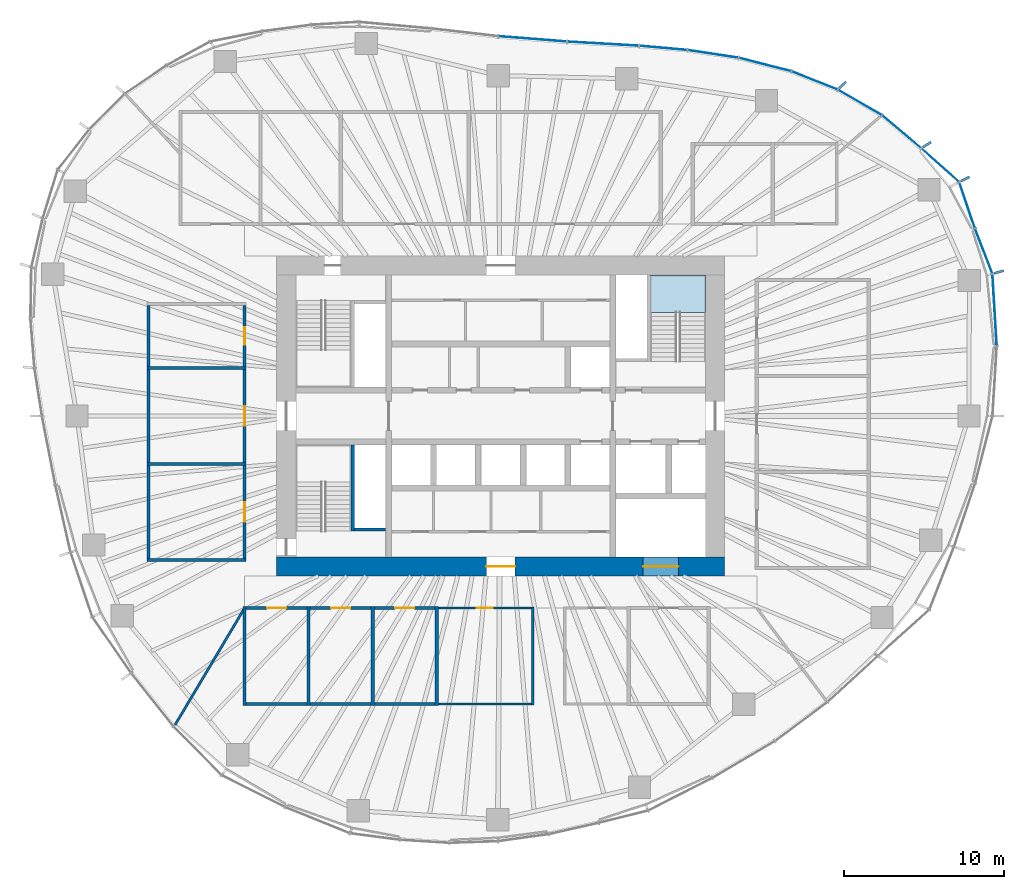
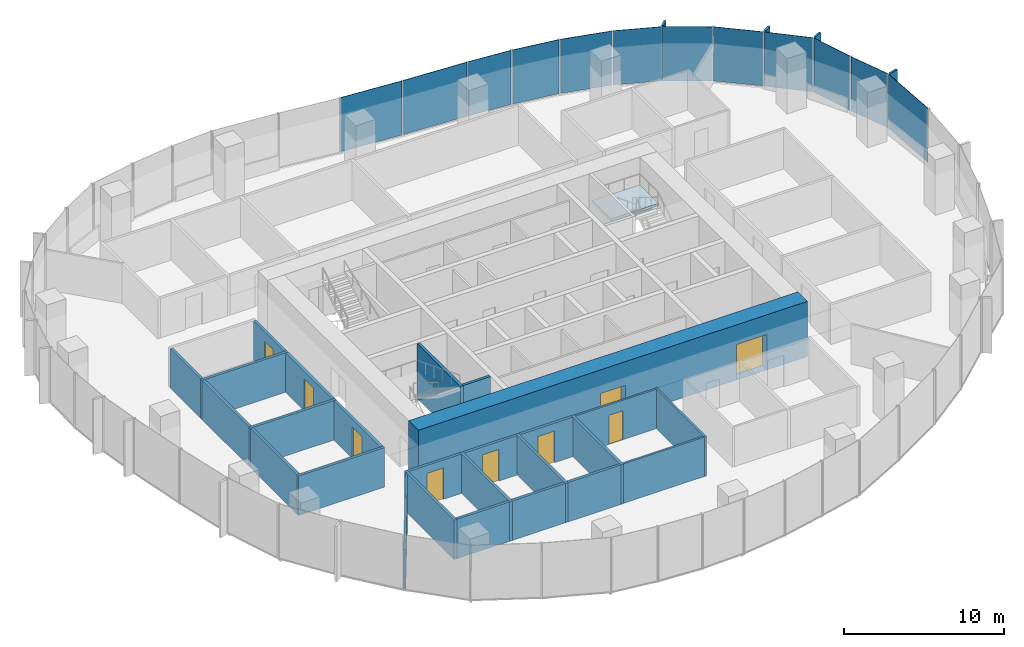
# One storey, part 8 of 18: 26 walls, 16 plates, 9 doors, 1 slab, 9 openings, 6 elements without a shape of their own.
"""IFC4 building model written with IfcOpenShell, lengths in metres."""

from ifc_helpers import new_model, si_unit, direction, frame, frame_2d, origin, origin_2d, place, context, subcontext, project, spatial, polyline, rectangle, outline, extrude, material, layer, layer_set, type_object, element, fill, aggregate, save


model = new_model("IFC4")

# Units and contexts
model_context = context("Model", 3, precision=1e-05, world=origin(), true_north=direction((0.0, 1.0)))
body_context = subcontext(model_context, "Body", "Model", "MODEL_VIEW")
ifc_project = project(units=[si_unit("LENGTHUNIT", "METRE"), si_unit("AREAUNIT", "SQUARE_METRE"), si_unit("VOLUMEUNIT", "CUBIC_METRE"), si_unit("PLANEANGLEUNIT", "RADIAN"), si_unit("MASSUNIT", "GRAM", prefix="KILO")], contexts=[model_context])

# Site, building, storey
site_placement = place(None, origin())
site = spatial("IfcSite", under=ifc_project, at=site_placement, CompositionType="ELEMENT")
building_placement = place(site_placement, origin())
building = spatial("IfcBuilding", under=site, at=building_placement, Name="Ghaith Harvest Tower", CompositionType="ELEMENT")
storey_placement = place(building_placement, frame((0.0, 0.0, 180.60009765625)))
storey = spatial("IfcBuildingStorey", under=building, at=storey_placement, Name="L39", CompositionType="ELEMENT", Elevation=180.60009765625)

# Curtain wall, plate
ifc_material_1 = material(Name="Black anodised aluminium and fritted glass", Category="aluminium")
curtain_wall_type = type_object("IfcCurtainWallType", Name="CW-L CURTAIN WALL", PredefinedType="NOTDEFINED", material=ifc_material_1)
curtain_wall_1_placement = place(storey_placement, origin())
curtain_wall_1 = element("IfcCurtainWall", 1, at=curtain_wall_1_placement, inside=storey, type_object=curtain_wall_type, Name="Curtain wall CW-L bay 01 L39", PredefinedType="NOTDEFINED")
ifc_material_2 = material(Name="Glass, dark solar-control fritted double glazed unit", Category="glass")
ifc_layer_1 = layer(ifc_material_2, 0.031982421875)
ifc_layer_set_1 = layer_set([ifc_layer_1], Name="CW-L VISION PANEL")
plate_type_1 = type_object("IfcPlateType", Name="CW-L VISION PANEL", PredefinedType="CURTAIN_PANEL", material=ifc_layer_set_1)
plate_1_placement = place(storey_placement, frame((30.863037109375, 6.63525390625, 0.079833984375), z_axis=(0.0, 0.0, 1.0), x_axis=(-0.060320650032, 0.998179051663, 0.0)))
plate_1 = element("IfcPlate", 2, at=plate_1_placement, type_object=plate_type_1, Name="CW-L glass unit 2 bay 01 L39", PredefinedType="CURTAIN_PANEL", context=body_context, shape_type="SweptSolid", body=[
    extrude(rectangle(XDim=4.419189453125, YDim=0.031982421875, at=origin_2d()), origin(), (0.0, 0.0, 1.0), 4.1201171875),
])
aggregate(curtain_wall_1, [plate_1])

# Curtain wall, plates
curtain_wall_2_placement = place(storey_placement, origin())
curtain_wall_2 = element("IfcCurtainWall", 3, at=curtain_wall_2_placement, inside=storey, type_object=curtain_wall_type, Name="Curtain wall CW-L bay 02 L39", PredefinedType="NOTDEFINED")
plate_2_placement = place(storey_placement, frame((30.180908203125, 10.29833984375, 0.079833984375), z_axis=(0.0, 0.0, 1.0), x_axis=(-0.359676824997, 0.933076943001, 0.0)))
plate_2 = element("IfcPlate", 4, at=plate_2_placement, type_object=plate_type_1, Name="CW-L glass unit 1 bay 02 L39", PredefinedType="CURTAIN_PANEL", context=body_context, shape_type="SweptSolid", body=[
    extrude(rectangle(XDim=2.95849609375, YDim=0.031982421875, at=origin_2d()), origin(), (0.0, 0.0, 1.0), 4.1201171875),
])
plate_3_placement = place(storey_placement, frame((29.142333984375, 13.163818359375, 0.079833984375), z_axis=(0.0, 0.0, 1.0), x_axis=(-0.321853304376, 0.946789549194, 0.0)))
plate_3 = element("IfcPlate", 5, at=plate_3_placement, type_object=plate_type_1, Name="CW-L glass unit 2 bay 02 L39", PredefinedType="CURTAIN_PANEL", context=body_context, shape_type="SweptSolid", body=[
    extrude(rectangle(XDim=2.978759765625, YDim=0.031982421875, at=origin_2d()), origin(), (0.0, 0.0, 1.0), 4.1201171875),
])
plate_4_placement = place(storey_placement, frame((27.46533203125, 15.668701171875, 0.079833984375), z_axis=(0.0, 0.0, 1.0), x_axis=(-0.746250544556, 0.665665174656, 0.0)))
plate_4 = element("IfcPlate", 6, at=plate_4_placement, type_object=plate_type_1, Name="CW-L glass unit 3 bay 02 L39", PredefinedType="CURTAIN_PANEL", context=body_context, shape_type="SweptSolid", body=[
    extrude(rectangle(XDim=3.094970703125, YDim=0.031982421875, at=origin_2d()), origin(), (0.0, 0.0, 1.0), 4.1201171875),
])
aggregate(curtain_wall_2, [plate_2, plate_3, plate_4])

curtain_wall_3_placement = place(storey_placement, origin())
curtain_wall_3 = element("IfcCurtainWall", 7, at=curtain_wall_3_placement, inside=storey, type_object=curtain_wall_type, Name="Curtain wall CW-L bay 03 L39", PredefinedType="NOTDEFINED")
plate_5_placement = place(storey_placement, frame((25.05126953125, 17.7587890625, 0.079833984375), z_axis=(0.0, 0.0, 1.0), x_axis=(-0.765473064857, 0.643467937801, 0.0)))
plate_5 = element("IfcPlate", 8, at=plate_5_placement, type_object=plate_type_1, Name="CW-L glass unit 1 bay 03 L39", PredefinedType="CURTAIN_PANEL", context=body_context, shape_type="SweptSolid", body=[
    extrude(rectangle(XDim=3.13232421875, YDim=0.031982421875, at=origin_2d()), origin(), (0.0, 0.0, 1.0), 4.1201171875),
])
plate_6_placement = place(storey_placement, frame((22.444091796875, 19.590576171875, 0.079833984375), z_axis=(0.0, 0.0, 1.0), x_axis=(-0.865232087993, 0.501371552751, 0.0)))
plate_6 = element("IfcPlate", 9, at=plate_6_placement, type_object=plate_type_1, Name="CW-L glass unit 2 bay 03 L39", PredefinedType="CURTAIN_PANEL", context=body_context, shape_type="SweptSolid", body=[
    extrude(rectangle(XDim=3.10498046875, YDim=0.031982421875, at=origin_2d()), origin(), (0.0, 0.0, 1.0), 4.1201171875),
])
plate_7_placement = place(storey_placement, frame((19.6142578125, 20.963623046875, 0.079833984375), z_axis=(0.0, 0.0, 1.0), x_axis=(-0.929876534019, 0.367871759558, 0.0)))
plate_7 = element("IfcPlate", 10, at=plate_7_placement, type_object=plate_type_1, Name="CW-L glass unit 3 bay 03 L39", PredefinedType="CURTAIN_PANEL", context=body_context, shape_type="SweptSolid", body=[
    extrude(rectangle(XDim=3.042724609375, YDim=0.031982421875, at=origin_2d()), origin(), (0.0, 0.0, 1.0), 4.1201171875),
])
aggregate(curtain_wall_3, [plate_5, plate_6, plate_7])

curtain_wall_4_placement = place(storey_placement, origin())
curtain_wall_4 = element("IfcCurtainWall", 11, at=curtain_wall_4_placement, inside=storey, type_object=curtain_wall_type, Name="Curtain wall CW-L bay 04 L39", PredefinedType="NOTDEFINED")
plate_8_placement = place(storey_placement, frame((16.513427734375, 21.958740234375, 0.079833984375), z_axis=(0.0, 0.0, 1.0), x_axis=(-0.96893110987, 0.247330758955, 0.0)))
plate_8 = element("IfcPlate", 12, at=plate_8_placement, type_object=plate_type_1, Name="CW-L glass unit 1 bay 04 L39", PredefinedType="CURTAIN_PANEL", context=body_context, shape_type="SweptSolid", body=[
    extrude(rectangle(XDim=3.3232421875, YDim=0.031982421875, at=origin_2d()), origin(), (0.0, 0.0, 1.0), 4.1201171875),
])
plate_9_placement = place(storey_placement, frame((13.2685546875, 22.621826171875, 0.079833984375), z_axis=(0.0, 0.0, 1.0), x_axis=(-0.988678736369, 0.150047846542, 0.0)))
plate_9 = element("IfcPlate", 13, at=plate_9_placement, type_object=plate_type_1, Name="CW-L glass unit 2 bay 04 L39", PredefinedType="CURTAIN_PANEL", context=body_context, shape_type="SweptSolid", body=[
    extrude(rectangle(XDim=3.14892578125, YDim=0.031982421875, at=origin_2d()), origin(), (0.0, 0.0, 1.0), 4.1201171875),
])
plate_10_placement = place(storey_placement, frame((10.15966796875, 22.9970703125, 0.079833984375), z_axis=(0.0, 0.0, 1.0), x_axis=(-0.996166190972, 0.087480969151, 0.0)))
plate_10 = element("IfcPlate", 14, at=plate_10_placement, type_object=plate_type_1, Name="CW-L glass unit 3 bay 04 L39", PredefinedType="CURTAIN_PANEL", context=body_context, shape_type="SweptSolid", body=[
    extrude(rectangle(XDim=2.957275390625, YDim=0.031982421875, at=origin_2d()), origin(), (0.0, 0.0, 1.0), 4.1201171875),
])
aggregate(curtain_wall_4, [plate_8, plate_9, plate_10])

curtain_wall_5_placement = place(storey_placement, origin())
curtain_wall_5 = element("IfcCurtainWall", 15, at=curtain_wall_5_placement, inside=storey, type_object=curtain_wall_type, Name="Curtain wall CW-L bay 05 L39", PredefinedType="NOTDEFINED")
plate_11_placement = place(storey_placement, frame((6.396728515625, 23.260498046875, 0.079833984375), z_axis=(0.0, 0.0, 1.0), x_axis=(-0.998320798751, 0.05792739233, 0.0)))
plate_11 = element("IfcPlate", 16, at=plate_11_placement, type_object=plate_type_1, Name="CW-L glass unit 1 bay 05 L39", PredefinedType="CURTAIN_PANEL", context=body_context, shape_type="SweptSolid", body=[
    extrude(rectangle(XDim=4.427734375, YDim=0.031982421875, at=origin_2d()), origin(), (0.0, 0.0, 1.0), 4.1201171875),
])
plate_12_placement = place(storey_placement, frame((1.9921875, 23.560302734375, 0.079833984375), z_axis=(0.0, 0.0, 1.0), x_axis=(-0.996925121312, 0.078360082291, 0.0)))
plate_12 = element("IfcPlate", 17, at=plate_12_placement, type_object=plate_type_1, Name="CW-L glass unit 2 bay 05 L39", PredefinedType="CURTAIN_PANEL", context=body_context, shape_type="SweptSolid", body=[
    extrude(rectangle(XDim=4.242431640625, YDim=0.031982421875, at=origin_2d()), origin(), (0.0, 0.0, 1.0), 4.1201171875),
])
aggregate(curtain_wall_5, [plate_11, plate_12])

# Stair, slab
ifc_material_3 = material(Name="Concrete C40/50, precast", Category="concrete")
stair_type = type_object("IfcStairType", Name="CORE STAIR 24R", PredefinedType="HALF_TURN_STAIR", material=ifc_material_3)
stair_placement = place(storey_placement, origin())
stair = element("IfcStair", 18, at=stair_placement, inside=storey, type_object=stair_type, Name="Stair ST2 L39", PredefinedType="HALF_TURN_STAIR")
ifc_material_4 = material(Name="Concrete C40/50, precast", Category="concrete")
ifc_layer_2 = layer(ifc_material_4, 0.179931640625)
ifc_layer_set_2 = layer_set([ifc_layer_2], Name="STAIR LANDING 180")
slab_type = type_object("IfcSlabType", Name="STAIR LANDING 180", PredefinedType="LANDING", material=ifc_layer_set_2)
slab_placement = place(storey_placement, frame((0.0, 0.0, 1.919921875)))
slab = element("IfcSlab", 19, at=slab_placement, type_object=slab_type, Name="ST2 landing 1", PredefinedType="LANDING", context=body_context, shape_type="SweptSolid", body=[
    extrude(outline(polyline([(12.800048828125, 6.4599609375), (12.800048828125, 8.800048828125), (9.35009765625, 8.800048828125), (9.35009765625, 6.4599609375), (12.800048828125, 6.4599609375)])), origin(), (0.0, 0.0, 1.0), 0.179931640625),
])
aggregate(stair, [slab])

# Plates
ifc_material_5 = material(Name="Glassfibre-reinforced concrete", Category="concrete")
ifc_layer_3 = layer(ifc_material_5, 0.14990234375)
ifc_layer_set_3 = layer_set([ifc_layer_3], Name="SUN-BREAKER FIN 600x150")
plate_type_2 = type_object("IfcPlateType", Name="SUN-BREAKER FIN 600x150", PredefinedType="USERDEFINED", material=ifc_layer_set_3)
for number, where, z_axis, x_axis, name in (
    (20, (31.130859375, 8.99755859375, 0.0), (0.0, 0.0, 1.0), (0.960680349985, 0.277656739792, 0.0), "Sun-breaker fin CW-L 1 bay 02 L39"),
    (21, (29.024169921875, 14.802734375, 0.0), (0.0, 0.0, 1.0), (0.890830752257, 0.454335306611, 0.0), "Sun-breaker fin CW-L 3 bay 02 L39"),
    (22, (26.635009765625, 16.95068359375, 0.0), (0.0, 0.0, 1.0), (0.843643971464, 0.536903016766, 0.0), "Sun-breaker fin CW-L 1 bay 03 L39"),
    (23, (21.367919921875, 20.68115234375, 0.0), (0.0, 0.0, 1.0), (0.7185589652, 0.69546604053, 0.0), "Sun-breaker fin CW-L 3 bay 03 L39"),
):
    element("IfcPlate", number, at=place(storey_placement, frame(where, z_axis=z_axis, x_axis=x_axis)), inside=storey, type_object=plate_type_2, Name=name, ObjectType="SUN-BREAKER FIN", PredefinedType="USERDEFINED", context=body_context, shape_type="SweptSolid", body=[
        extrude(rectangle(XDim=0.60009765625, YDim=0.14990234375, at=origin_2d()), origin(), (0.0, 0.0, 1.0), 4.199951171875),
    ])

# Walls
ifc_material_6 = material(Name="Twin-stud gypsum board, acoustic", Category="gypsum")
ifc_layer_4 = layer(ifc_material_6, 0.199951171875)
ifc_layer_set_4 = layer_set([ifc_layer_4], Name="ACOUSTIC PARTITION 200")
wall_type_1 = type_object("IfcWallType", Name="ACOUSTIC PARTITION 200", PredefinedType="PARTITIONING", material=ifc_layer_set_4)
for number, where, z_axis, x_axis, name in (
    (24, (-16.0, -11.89990234375, 0.0), (0.0, 0.0, 1.0), (0.0, -1.0, 0.0), "Partition L39 row S3 cross wall 1"),
    (25, (-12.0, -11.89990234375, 0.0), (0.0, 0.0, 1.0), (0.0, -1.0, 0.0), "Partition L39 row S3 cross wall 2"),
    (26, (-8.0, -11.89990234375, 0.0), (0.0, 0.0, 1.0), (0.0, -1.0, 0.0), "Partition L39 row S3 cross wall 3"),
    (27, (-4.0, -11.89990234375, 0.0), (0.0, 0.0, 1.0), (0.0, -1.0, 0.0), "Partition L39 row S3 cross wall 4"),
):
    element("IfcWall", number, at=place(storey_placement, frame(where, z_axis=z_axis, x_axis=x_axis)), inside=storey, type_object=wall_type_1, Name=name, PredefinedType="PARTITIONING", context=body_context, shape_type="SweptSolid", body=[
        extrude(rectangle(XDim=6.2001953125, YDim=0.199951171875, at=frame_2d((3.10009765625, 0.0))), origin(), (0.0, 0.0, 1.0), 3.0),
    ])

# Wall, opening, door
wall_1_placement = place(storey_placement, frame((-15.89990234375, -12.0, 0.0), z_axis=(0.0, 0.0, 1.0), x_axis=(1.0, 0.0, 0.0)))
wall_1 = element("IfcWall", 28, at=wall_1_placement, inside=storey, type_object=wall_type_1, Name="Partition L39-08", PredefinedType="PARTITIONING", context=body_context, shape_type="SweptSolid", body=[
    extrude(rectangle(XDim=3.7998046875, YDim=0.199951171875, at=frame_2d((1.89990234375, 0.0))), origin(), (0.0, 0.0, 1.0), 3.0),
])
opening_1_placement = place(wall_1_placement, frame((1.300048828125, 0.0, 0.0)))
opening_1 = element("IfcOpeningElement", 29, at=opening_1_placement, cuts=wall_1, Name="Opening 39-032", PredefinedType="OPENING", context=body_context, shape_type="SweptSolid", body=[
    extrude(rectangle(XDim=1.199951171875, YDim=2.39990234375, at=frame_2d((0.60009765625, 1.199951171875))), frame((0.0, 0.10986328125, 0.0), z_axis=(0.0, -1.0, 0.0), x_axis=(1.0, 0.0, 0.0)), (0.0, 0.0, 1.0), 0.219970703125),
])
ifc_material_7 = material(Name="Timber door", Category="wood")
door_type_1 = type_object("IfcDoorType", Name="D11 GLAZED 1200x2400", OperationType="SINGLE_SWING_LEFT", PredefinedType="DOOR", material=ifc_material_7)
door_1_placement = place(opening_1_placement, origin())
door_1 = element("IfcDoor", 30, at=door_1_placement, inside=storey, type_object=door_type_1, Name="Meeting room door", OperationType="SINGLE_SWING_LEFT", OverallHeight=2.39990234375, OverallWidth=1.199951171875, PredefinedType="DOOR", context=body_context, shape_type="SweptSolid", body=[
    extrude(rectangle(XDim=1.199951171875, YDim=2.39990234375, at=frame_2d((0.60009765625, 1.199951171875))), frame((0.0, 0.02490234375, 0.0), z_axis=(0.0, -1.0, 0.0), x_axis=(1.0, 0.0, 0.0)), (0.0, 0.0, 1.0), 0.050048828125),
])
fill(opening_1, door_1)

# Wall
wall_2_placement = place(storey_placement, frame((-15.89990234375, -18.0, 0.0), z_axis=(0.0, 0.0, 1.0), x_axis=(1.0, 0.0, 0.0)))
element("IfcWall", 31, at=wall_2_placement, inside=storey, type_object=wall_type_1, Name="Partition L39-08", PredefinedType="PARTITIONING", context=body_context, shape_type="SweptSolid", body=[
    extrude(rectangle(XDim=3.7998046875, YDim=0.199951171875, at=frame_2d((1.89990234375, 0.0))), origin(), (0.0, 0.0, 1.0), 3.0),
])

# Wall, opening, door
wall_3_placement = place(storey_placement, frame((-11.89990234375, -12.0, 0.0), z_axis=(0.0, 0.0, 1.0), x_axis=(1.0, 0.0, 0.0)))
wall_3 = element("IfcWall", 32, at=wall_3_placement, inside=storey, type_object=wall_type_1, Name="Partition L39-09", PredefinedType="PARTITIONING", context=body_context, shape_type="SweptSolid", body=[
    extrude(rectangle(XDim=3.7998046875, YDim=0.199951171875, at=frame_2d((1.89990234375, 0.0))), origin(), (0.0, 0.0, 1.0), 3.0),
])
opening_2_placement = place(wall_3_placement, frame((1.300048828125, 0.0, 0.0)))
opening_2 = element("IfcOpeningElement", 33, at=opening_2_placement, cuts=wall_3, Name="Opening 39-033", PredefinedType="OPENING", context=body_context, shape_type="SweptSolid", body=[
    extrude(rectangle(XDim=1.199951171875, YDim=2.39990234375, at=frame_2d((0.60009765625, 1.199951171875))), frame((0.0, 0.10986328125, 0.0), z_axis=(0.0, -1.0, 0.0), x_axis=(1.0, 0.0, 0.0)), (0.0, 0.0, 1.0), 0.219970703125),
])
door_2_placement = place(opening_2_placement, origin())
door_2 = element("IfcDoor", 34, at=door_2_placement, inside=storey, type_object=door_type_1, Name="Meeting room door", OperationType="SINGLE_SWING_LEFT", OverallHeight=2.39990234375, OverallWidth=1.199951171875, PredefinedType="DOOR", context=body_context, shape_type="SweptSolid", body=[
    extrude(rectangle(XDim=1.199951171875, YDim=2.39990234375, at=frame_2d((0.60009765625, 1.199951171875))), frame((0.0, 0.02490234375, 0.0), z_axis=(0.0, -1.0, 0.0), x_axis=(1.0, 0.0, 0.0)), (0.0, 0.0, 1.0), 0.050048828125),
])
fill(opening_2, door_2)

# Wall
wall_4_placement = place(storey_placement, frame((-11.89990234375, -18.0, 0.0), z_axis=(0.0, 0.0, 1.0), x_axis=(1.0, 0.0, 0.0)))
element("IfcWall", 35, at=wall_4_placement, inside=storey, type_object=wall_type_1, Name="Partition L39-09", PredefinedType="PARTITIONING", context=body_context, shape_type="SweptSolid", body=[
    extrude(rectangle(XDim=3.7998046875, YDim=0.199951171875, at=frame_2d((1.89990234375, 0.0))), origin(), (0.0, 0.0, 1.0), 3.0),
])

# Wall, opening, door
wall_5_placement = place(storey_placement, frame((-7.89990234375, -12.0, 0.0), z_axis=(0.0, 0.0, 1.0), x_axis=(1.0, 0.0, 0.0)))
wall_5 = element("IfcWall", 36, at=wall_5_placement, inside=storey, type_object=wall_type_1, Name="Partition L39-10", PredefinedType="PARTITIONING", context=body_context, shape_type="SweptSolid", body=[
    extrude(rectangle(XDim=3.7998046875, YDim=0.199951171875, at=frame_2d((1.89990234375, 0.0))), origin(), (0.0, 0.0, 1.0), 3.0),
])
opening_3_placement = place(wall_5_placement, frame((1.300048828125, 0.0, 0.0)))
opening_3 = element("IfcOpeningElement", 37, at=opening_3_placement, cuts=wall_5, Name="Opening 39-034", PredefinedType="OPENING", context=body_context, shape_type="SweptSolid", body=[
    extrude(rectangle(XDim=1.199951171875, YDim=2.39990234375, at=frame_2d((0.60009765625, 1.199951171875))), frame((0.0, 0.10986328125, 0.0), z_axis=(0.0, -1.0, 0.0), x_axis=(1.0, 0.0, 0.0)), (0.0, 0.0, 1.0), 0.219970703125),
])
door_3_placement = place(opening_3_placement, origin())
door_3 = element("IfcDoor", 38, at=door_3_placement, inside=storey, type_object=door_type_1, Name="Meeting room door", OperationType="SINGLE_SWING_LEFT", OverallHeight=2.39990234375, OverallWidth=1.199951171875, PredefinedType="DOOR", context=body_context, shape_type="SweptSolid", body=[
    extrude(rectangle(XDim=1.199951171875, YDim=2.39990234375, at=frame_2d((0.60009765625, 1.199951171875))), frame((0.0, 0.02490234375, 0.0), z_axis=(0.0, -1.0, 0.0), x_axis=(1.0, 0.0, 0.0)), (0.0, 0.0, 1.0), 0.050048828125),
])
fill(opening_3, door_3)

# Walls
wall_6_placement = place(storey_placement, frame((-7.89990234375, -18.0, 0.0), z_axis=(0.0, 0.0, 1.0), x_axis=(1.0, 0.0, 0.0)))
element("IfcWall", 39, at=wall_6_placement, inside=storey, type_object=wall_type_1, Name="Partition L39-10", PredefinedType="PARTITIONING", context=body_context, shape_type="SweptSolid", body=[
    extrude(rectangle(XDim=3.7998046875, YDim=0.199951171875, at=frame_2d((1.89990234375, 0.0))), origin(), (0.0, 0.0, 1.0), 3.0),
])
for number, where, z_axis, x_axis, name in (
    (40, (-15.89990234375, -9.0, 0.0), (0.0, 0.0, 1.0), (-1.0, 0.0, 0.0), "Partition L39 row W5 cross wall 1"),
    (41, (-15.89990234375, -3.0, 0.0), (0.0, 0.0, 1.0), (-1.0, 0.0, 0.0), "Partition L39 row W5 cross wall 2"),
    (42, (-15.89990234375, 3.0, 0.0), (0.0, 0.0, 1.0), (-1.0, 0.0, 0.0), "Partition L39 row W5 cross wall 3"),
):
    element("IfcWall", number, at=place(storey_placement, frame(where, z_axis=z_axis, x_axis=x_axis)), inside=storey, type_object=wall_type_1, Name=name, PredefinedType="PARTITIONING", context=body_context, shape_type="SweptSolid", body=[
        extrude(rectangle(XDim=6.2001953125, YDim=0.199951171875, at=frame_2d((3.10009765625, 0.0))), origin(), (0.0, 0.0, 1.0), 3.0),
    ])

# Wall, opening, door
wall_7_placement = place(storey_placement, frame((-16.0, -8.89990234375, 0.0), z_axis=(0.0, 0.0, 1.0), x_axis=(0.0, 1.0, 0.0)))
wall_7 = element("IfcWall", 43, at=wall_7_placement, inside=storey, type_object=wall_type_1, Name="Partition L39-14", PredefinedType="PARTITIONING", context=body_context, shape_type="SweptSolid", body=[
    extrude(rectangle(XDim=5.7998046875, YDim=0.199951171875, at=frame_2d((2.89990234375, 0.0))), origin(), (0.0, 0.0, 1.0), 3.0),
])
opening_4_placement = place(wall_7_placement, frame((2.300048828125, 0.0, 0.0)))
opening_4 = element("IfcOpeningElement", 44, at=opening_4_placement, cuts=wall_7, Name="Opening 39-038", PredefinedType="OPENING", context=body_context, shape_type="SweptSolid", body=[
    extrude(rectangle(XDim=1.199951171875, YDim=2.39990234375, at=frame_2d((0.60009765625, 1.199951171875))), frame((0.0, 0.10986328125, 0.0), z_axis=(0.0, -1.0, 0.0), x_axis=(1.0, 0.0, 0.0)), (0.0, 0.0, 1.0), 0.219970703125),
])
door_4_placement = place(opening_4_placement, origin())
door_4 = element("IfcDoor", 45, at=door_4_placement, inside=storey, type_object=door_type_1, Name="Meeting room door", OperationType="SINGLE_SWING_LEFT", OverallHeight=2.39990234375, OverallWidth=1.199951171875, PredefinedType="DOOR", context=body_context, shape_type="SweptSolid", body=[
    extrude(rectangle(XDim=1.199951171875, YDim=2.39990234375, at=frame_2d((0.60009765625, 1.199951171875))), frame((0.0, 0.02490234375, 0.0), z_axis=(0.0, -1.0, 0.0), x_axis=(1.0, 0.0, 0.0)), (0.0, 0.0, 1.0), 0.050048828125),
])
fill(opening_4, door_4)

# Wall
wall_8_placement = place(storey_placement, frame((-22.0, -8.89990234375, 0.0), z_axis=(0.0, 0.0, 1.0), x_axis=(0.0, 1.0, 0.0)))
element("IfcWall", 46, at=wall_8_placement, inside=storey, type_object=wall_type_1, Name="Partition L39-14", PredefinedType="PARTITIONING", context=body_context, shape_type="SweptSolid", body=[
    extrude(rectangle(XDim=5.7998046875, YDim=0.199951171875, at=frame_2d((2.89990234375, 0.0))), origin(), (0.0, 0.0, 1.0), 3.0),
])

# Wall, opening, door
wall_9_placement = place(storey_placement, frame((-16.0, -2.89990234375, 0.0), z_axis=(0.0, 0.0, 1.0), x_axis=(0.0, 1.0, 0.0)))
wall_9 = element("IfcWall", 47, at=wall_9_placement, inside=storey, type_object=wall_type_1, Name="Partition L39-15", PredefinedType="PARTITIONING", context=body_context, shape_type="SweptSolid", body=[
    extrude(rectangle(XDim=5.7998046875, YDim=0.199951171875, at=frame_2d((2.89990234375, 0.0))), origin(), (0.0, 0.0, 1.0), 3.0),
])
opening_5_placement = place(wall_9_placement, frame((2.300048828125, 0.0, 0.0)))
opening_5 = element("IfcOpeningElement", 48, at=opening_5_placement, cuts=wall_9, Name="Opening 39-039", PredefinedType="OPENING", context=body_context, shape_type="SweptSolid", body=[
    extrude(rectangle(XDim=1.199951171875, YDim=2.39990234375, at=frame_2d((0.60009765625, 1.199951171875))), frame((0.0, 0.10986328125, 0.0), z_axis=(0.0, -1.0, 0.0), x_axis=(1.0, 0.0, 0.0)), (0.0, 0.0, 1.0), 0.219970703125),
])
door_5_placement = place(opening_5_placement, origin())
door_5 = element("IfcDoor", 49, at=door_5_placement, inside=storey, type_object=door_type_1, Name="Meeting room door", OperationType="SINGLE_SWING_LEFT", OverallHeight=2.39990234375, OverallWidth=1.199951171875, PredefinedType="DOOR", context=body_context, shape_type="SweptSolid", body=[
    extrude(rectangle(XDim=1.199951171875, YDim=2.39990234375, at=frame_2d((0.60009765625, 1.199951171875))), frame((0.0, 0.02490234375, 0.0), z_axis=(0.0, -1.0, 0.0), x_axis=(1.0, 0.0, 0.0)), (0.0, 0.0, 1.0), 0.050048828125),
])
fill(opening_5, door_5)

# Wall
wall_10_placement = place(storey_placement, frame((-22.0, -2.89990234375, 0.0), z_axis=(0.0, 0.0, 1.0), x_axis=(0.0, 1.0, 0.0)))
element("IfcWall", 50, at=wall_10_placement, inside=storey, type_object=wall_type_1, Name="Partition L39-15", PredefinedType="PARTITIONING", context=body_context, shape_type="SweptSolid", body=[
    extrude(rectangle(XDim=5.7998046875, YDim=0.199951171875, at=frame_2d((2.89990234375, 0.0))), origin(), (0.0, 0.0, 1.0), 3.0),
])

# Wall, opening, door
wall_11_placement = place(storey_placement, frame((-16.0, 3.10009765625, 0.0), z_axis=(0.0, 0.0, 1.0), x_axis=(0.0, 1.0, 0.0)))
wall_11 = element("IfcWall", 51, at=wall_11_placement, inside=storey, type_object=wall_type_1, Name="Partition L39-16", PredefinedType="PARTITIONING", context=body_context, shape_type="SweptSolid", body=[
    extrude(rectangle(XDim=3.7998046875, YDim=0.199951171875, at=frame_2d((1.89990234375, 0.0))), origin(), (0.0, 0.0, 1.0), 3.0),
])
opening_6_placement = place(wall_11_placement, frame((1.35009765625, 0.0, 0.0)))
opening_6 = element("IfcOpeningElement", 52, at=opening_6_placement, cuts=wall_11, Name="Opening 39-040", PredefinedType="OPENING", context=body_context, shape_type="SweptSolid", body=[
    extrude(rectangle(XDim=1.10009765625, YDim=2.300048828125, at=frame_2d((0.550048828125, 1.14990234375))), frame((0.0, 0.10986328125, 0.0), z_axis=(0.0, -1.0, 0.0), x_axis=(1.0, 0.0, 0.0)), (0.0, 0.0, 1.0), 0.219970703125),
])
ifc_material_8 = material(Name="Timber-framed glazed door", Category="wood")
door_type_2 = type_object("IfcDoorType", Name="D12 GLAZED OFFICE 1100x2300", OperationType="SINGLE_SWING_LEFT", PredefinedType="DOOR", material=ifc_material_8)
door_6_placement = place(opening_6_placement, origin())
door_6 = element("IfcDoor", 53, at=door_6_placement, inside=storey, type_object=door_type_2, Name="Quiet room door", OperationType="SINGLE_SWING_LEFT", OverallHeight=2.300048828125, OverallWidth=1.10009765625, PredefinedType="DOOR", context=body_context, shape_type="SweptSolid", body=[
    extrude(rectangle(XDim=1.10009765625, YDim=2.300048828125, at=frame_2d((0.550048828125, 1.14990234375))), frame((0.0, 0.02490234375, 0.0), z_axis=(0.0, -1.0, 0.0), x_axis=(1.0, 0.0, 0.0)), (0.0, 0.0, 1.0), 0.050048828125),
])
fill(opening_6, door_6)

# Wall
wall_12_placement = place(storey_placement, frame((-22.0, 3.10009765625, 0.0), z_axis=(0.0, 0.0, 1.0), x_axis=(0.0, 1.0, 0.0)))
element("IfcWall", 54, at=wall_12_placement, inside=storey, type_object=wall_type_1, Name="Partition L39-16", PredefinedType="PARTITIONING", context=body_context, shape_type="SweptSolid", body=[
    extrude(rectangle(XDim=3.7998046875, YDim=0.199951171875, at=frame_2d((1.89990234375, 0.0))), origin(), (0.0, 0.0, 1.0), 3.0),
])

# Wall, openings, doors
ifc_material_9 = material(Name="Concrete C60/75", Category="concrete")
ifc_layer_5 = layer(ifc_material_9, 1.199951171875)
ifc_layer_set_5 = layer_set([ifc_layer_5], Name="CORE WALL CW1200 C60")
wall_type_2 = type_object("IfcWallType", Name="CORE WALL CW1200 C60", PredefinedType="SHEAR", material=ifc_layer_set_5)
wall_13_placement = place(storey_placement, frame((-14.0, -9.39990234375, 0.0), z_axis=(0.0, 0.0, 1.0), x_axis=(1.0, 0.0, 0.0)))
wall_13 = element("IfcWall", 55, at=wall_13_placement, inside=storey, type_object=wall_type_2, Name="Core wall S L39", PredefinedType="SHEAR", context=body_context, shape_type="SweptSolid", body=[
    extrude(rectangle(XDim=28.0, YDim=1.199951171875, at=frame_2d((14.0, 0.0))), origin(), (0.0, 0.0, 1.0), 4.199951171875),
])
opening_7_placement = place(wall_13_placement, frame((13.10009765625, 0.0, 0.0)))
opening_7 = element("IfcOpeningElement", 56, at=opening_7_placement, cuts=wall_13, Name="Opening 39-019", PredefinedType="OPENING", context=body_context, shape_type="SweptSolid", body=[
    extrude(rectangle(XDim=1.800048828125, YDim=2.39990234375, at=frame_2d((0.89990234375, 1.199951171875))), frame((0.0, 0.60986328125, 0.0), z_axis=(0.0, -1.0, 0.0), x_axis=(1.0, 0.0, 0.0)), (0.0, 0.0, 1.0), 1.219970703125),
])
opening_8_placement = place(wall_13_placement, frame((22.89990234375, 0.0, 0.0)))
opening_8 = element("IfcOpeningElement", 57, at=opening_8_placement, cuts=wall_13, Name="Opening 39-024", PredefinedType="OPENING", context=body_context, shape_type="SweptSolid", body=[
    extrude(rectangle(XDim=2.199951171875, YDim=2.699951171875, at=frame_2d((1.10009765625, 1.35009765625))), frame((0.0, 0.60986328125, 0.0), z_axis=(0.0, -1.0, 0.0), x_axis=(1.0, 0.0, 0.0)), (0.0, 0.0, 1.0), 1.219970703125),
])
ifc_material_10 = material(Name="Steel fire door", Category="steel")
door_type_3 = type_object("IfcDoorType", Name="D4 FD90 PAIR 1800x2400", OperationType="DOUBLE_DOOR_SINGLE_SWING", PredefinedType="DOOR", material=ifc_material_10)
door_7_placement = place(opening_7_placement, origin())
door_7 = element("IfcDoor", 58, at=door_7_placement, inside=storey, type_object=door_type_3, Name="Core service corridor doors", OperationType="DOUBLE_DOOR_SINGLE_SWING", OverallHeight=2.39990234375, OverallWidth=1.800048828125, PredefinedType="DOOR", context=body_context, shape_type="SweptSolid", body=[
    extrude(rectangle(XDim=1.800048828125, YDim=2.39990234375, at=frame_2d((0.89990234375, 1.199951171875))), frame((0.0, 0.02490234375, 0.0), z_axis=(0.0, -1.0, 0.0), x_axis=(1.0, 0.0, 0.0)), (0.0, 0.0, 1.0), 0.050048828125),
])
fill(opening_7, door_7)
ifc_material_11 = material(Name="Steel fire door", Category="steel")
door_type_4 = type_object("IfcDoorType", Name="LD3 LANDING 2200x2700", OperationType="DOUBLE_DOOR_SLIDING", PredefinedType="DOOR", material=ifc_material_11)
door_8_placement = place(opening_8_placement, origin())
door_8 = element("IfcDoor", 59, at=door_8_placement, inside=storey, type_object=door_type_4, Name="Landing door, goods lift GL1", OperationType="DOUBLE_DOOR_SLIDING", OverallHeight=2.699951171875, OverallWidth=2.199951171875, PredefinedType="DOOR", context=body_context, shape_type="SweptSolid", body=[
    extrude(rectangle(XDim=2.199951171875, YDim=2.699951171875, at=frame_2d((1.10009765625, 1.35009765625))), frame((0.0, 0.02490234375, 0.0), z_axis=(0.0, -1.0, 0.0), x_axis=(1.0, 0.0, 0.0)), (0.0, 0.0, 1.0), 0.050048828125),
])
fill(opening_8, door_8)

# Wall
ifc_material_12 = material(Name="Gypsum board on steel studs", Category="steel")
ifc_layer_6 = layer(ifc_material_12, 0.14990234375)
ifc_layer_set_6 = layer_set([ifc_layer_6], Name="PARTITION 150")
wall_type_3 = type_object("IfcWallType", Name="PARTITION 150", PredefinedType="PARTITIONING", material=ifc_layer_set_6)
wall_14_placement = place(storey_placement, frame((2.0, -11.925048828125, 0.0), z_axis=(0.0, 0.0, 1.0), x_axis=(0.0, -1.0, 0.0)))
element("IfcWall", 60, at=wall_14_placement, inside=storey, type_object=wall_type_3, Name="Partition L39 row S3 cross wall 5", PredefinedType="PARTITIONING", context=body_context, shape_type="SweptSolid", body=[
    extrude(rectangle(XDim=6.14990234375, YDim=0.14990234375, at=frame_2d((3.074951171875, 0.0))), origin(), (0.0, 0.0, 1.0), 3.0),
])

# Wall, opening, door
wall_15_placement = place(storey_placement, frame((-3.89990234375, -12.0, 0.0), z_axis=(0.0, 0.0, 1.0), x_axis=(1.0, 0.0, 0.0)))
wall_15 = element("IfcWall", 61, at=wall_15_placement, inside=storey, type_object=wall_type_3, Name="Partition L39-11", PredefinedType="PARTITIONING", context=body_context, shape_type="SweptSolid", body=[
    extrude(rectangle(XDim=5.824951171875, YDim=0.14990234375, at=frame_2d((2.91259765625, 0.0))), origin(), (0.0, 0.0, 1.0), 3.0),
])
opening_9_placement = place(wall_15_placement, frame((2.41259765625, 0.0, 0.0)))
opening_9 = element("IfcOpeningElement", 62, at=opening_9_placement, cuts=wall_15, Name="Opening 39-035", PredefinedType="OPENING", context=body_context, shape_type="SweptSolid", body=[
    extrude(rectangle(XDim=1.0, YDim=2.199951171875, at=frame_2d((0.5, 1.10009765625))), frame((0.0, 0.0849609375, 0.0), z_axis=(0.0, -1.0, 0.0), x_axis=(1.0, 0.0, 0.0)), (0.0, 0.0, 1.0), 0.169921875),
])
ifc_material_13 = material(Name="Timber door", Category="wood")
door_type_5 = type_object("IfcDoorType", Name="D1 SINGLE 1000x2200", OperationType="SINGLE_SWING_LEFT", PredefinedType="DOOR", material=ifc_material_13)
door_9_placement = place(opening_9_placement, origin())
door_9 = element("IfcDoor", 63, at=door_9_placement, inside=storey, type_object=door_type_5, Name="Pantry door", OperationType="SINGLE_SWING_LEFT", OverallHeight=2.199951171875, OverallWidth=1.0, PredefinedType="DOOR", context=body_context, shape_type="SweptSolid", body=[
    extrude(rectangle(XDim=1.0, YDim=2.199951171875, at=frame_2d((0.5, 1.10009765625))), frame((0.0, 0.02490234375, 0.0), z_axis=(0.0, -1.0, 0.0), x_axis=(1.0, 0.0, 0.0)), (0.0, 0.0, 1.0), 0.050048828125),
])
fill(opening_9, door_9)

# Walls
wall_16_placement = place(storey_placement, frame((-3.89990234375, -18.0, 0.0), z_axis=(0.0, 0.0, 1.0), x_axis=(1.0, 0.0, 0.0)))
element("IfcWall", 64, at=wall_16_placement, inside=storey, type_object=wall_type_3, Name="Partition L39-11", PredefinedType="PARTITIONING", context=body_context, shape_type="SweptSolid", body=[
    extrude(rectangle(XDim=5.824951171875, YDim=0.14990234375, at=frame_2d((2.91259765625, 0.0))), origin(), (0.0, 0.0, 1.0), 3.0),
])
wall_17_placement = place(storey_placement, frame((-16.02001953125, -12.03369140625, 0.0), z_axis=(0.0, 0.0, 1.0), x_axis=(-0.511518902153, -0.859272024879, 0.0)))
element("IfcWall", 65, at=wall_17_placement, inside=storey, type_object=wall_type_3, Name="Partition L39 zone division", PredefinedType="PARTITIONING", context=body_context, shape_type="SweptSolid", body=[
    extrude(rectangle(XDim=8.451416015625, YDim=0.14990234375, at=frame_2d((4.2255859375, 0.0))), origin(), (0.0, 0.0, 1.0), 3.0),
])
ifc_material_14 = material(Name="Concrete C40/50", Category="concrete")
ifc_layer_7 = layer(ifc_material_14, 0.199951171875)
ifc_layer_set_7 = layer_set([ifc_layer_7], Name="STAIR SPINE WALL RC200")
wall_type_4 = type_object("IfcWallType", Name="STAIR SPINE WALL RC200", PredefinedType="SOLIDWALL", material=ifc_layer_set_7)
wall_18_placement = place(storey_placement, frame((-9.25, -7.199951171875, 0.0), z_axis=(0.0, 0.0, 1.0), x_axis=(0.0, 1.0, 0.0)))
element("IfcWall", 66, at=wall_18_placement, inside=storey, type_object=wall_type_4, Name="Stair ST3 spine wall L39", PredefinedType="SOLIDWALL", context=body_context, shape_type="SweptSolid", body=[
    extrude(rectangle(XDim=5.39990234375, YDim=0.199951171875, at=frame_2d((2.699951171875, 0.0))), origin(), (0.0, 0.0, 1.0), 4.199951171875),
])
wall_19_placement = place(storey_placement, frame((-9.14990234375, -7.10009765625, 0.0), z_axis=(0.0, 0.0, 1.0), x_axis=(1.0, 0.0, 0.0)))
element("IfcWall", 67, at=wall_19_placement, inside=storey, type_object=wall_type_4, Name="Stair ST3 spine wall return L39", PredefinedType="SOLIDWALL", context=body_context, shape_type="SweptSolid", body=[
    extrude(rectangle(XDim=1.949951171875, YDim=0.199951171875, at=frame_2d((0.97509765625, 0.0))), origin(), (0.0, 0.0, 1.0), 4.199951171875),
])

save(model, "model.ifc")
